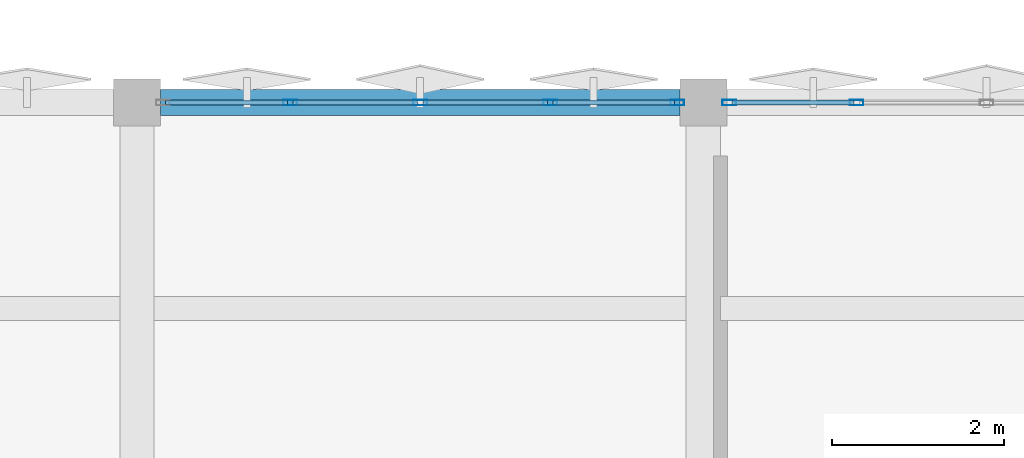
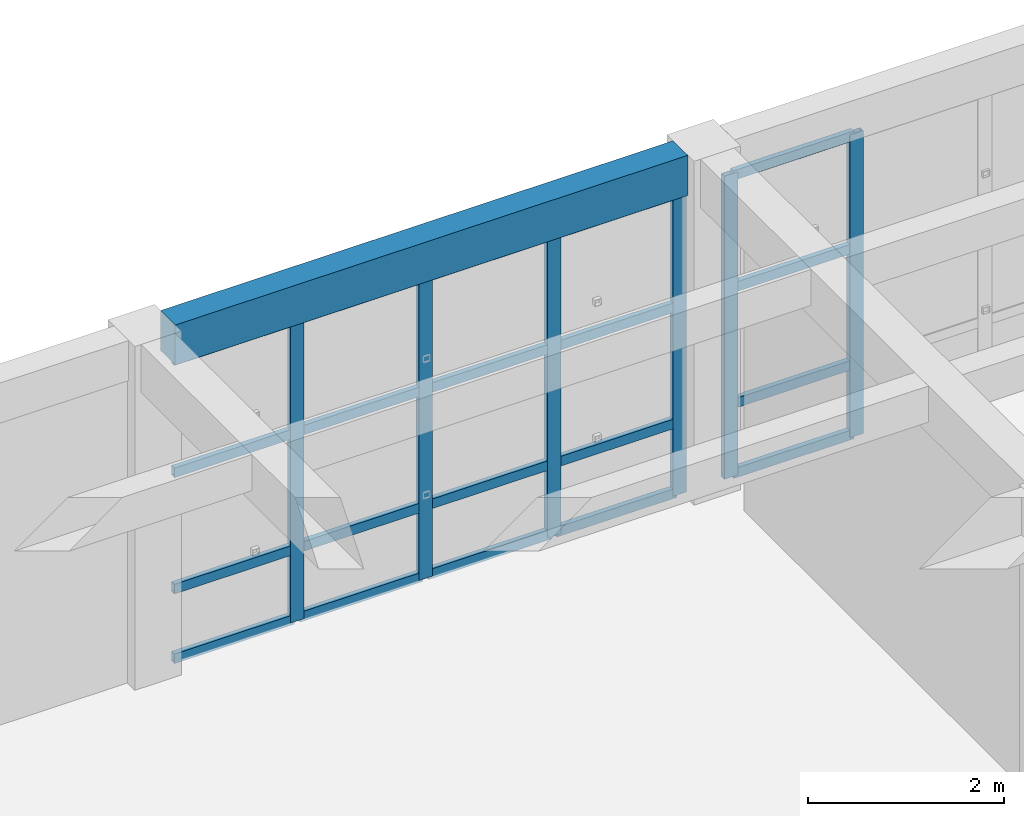
# One storey, part 16 of 39: 26 members, 1 beam, 2 elements without a shape of their own.
"""IFC4 building model written with IfcOpenShell, lengths in metres."""

import ifcopenshell
import ifcopenshell.guid

model = None  # the IFC model being written
_history = None  # IfcOwnerHistory: only IFC2X3 demands one
_inside = {}  # id of a spatial element -> (the spatial element, [elements in it])
_under = {}  # id of a project, library or spatial element -> (it, [spatial elements below it])
_declared = {}  # id of a project -> (the project, [libraries it declares])
_typed = {}  # id of a type object -> (the type object, [elements of that type])
_made_of = {}  # id of a material, layer set ... -> (it, [elements and type objects made of it])


def new_model(schema):
    """Start an empty IFC model of exactly this schema.

    Asked for "IFC4X3", IfcOpenShell would pick the latest addendum, in which some entities
    have other attributes; the version numbers below select the first issue.
    IFC2X3 requires an IfcOwnerHistory on every rooted entity: one is made here for all.
    """
    global model, _history
    if schema == "IFC4X3":
        model = ifcopenshell.file(schema_version=(4, 3, 0, 0))
    else:
        model = ifcopenshell.file(schema=schema)
    _inside.clear()
    _under.clear()
    _declared.clear()
    _typed.clear()
    _made_of.clear()
    _history = None
    if model.schema == "IFC2X3":
        org = make("IfcOrganization", Name="unknown")
        user = make(
            "IfcPersonAndOrganization",
            ThePerson=make("IfcPerson", FamilyName="unknown"),
            TheOrganization=org,
        )
        app = make(
            "IfcApplication",
            ApplicationDeveloper=org,
            Version="unknown",
            ApplicationFullName="unknown",
            ApplicationIdentifier="unknown",
        )
        _history = make(
            "IfcOwnerHistory",
            OwningUser=user,
            OwningApplication=app,
            ChangeAction="ADDED",
            CreationDate=0,
        )
    return model


def make(cls, **values):
    """One entity of the class cls with the attributes given. An attribute that is None is left unset."""
    return model.create_entity(
        cls, **{name: value for name, value in values.items() if value is not None}
    )


def rooted(cls, **values):
    """An entity with a GlobalId (a new one), such as an element, a storey or a relation."""
    return make(cls, GlobalId=ifcopenshell.guid.new(), OwnerHistory=_history, **values)


def si_unit(unit_type, name, prefix=None):
    """IfcSIUnit, for example si_unit("LENGTHUNIT", "METRE", prefix="MILLI")."""
    return make("IfcSIUnit", UnitType=unit_type, Prefix=prefix, Name=name)


def assignment(units):
    """IfcUnitAssignment: the units of a project."""
    return None if units is None else make("IfcUnitAssignment", Units=units)


def point(xyz):
    """IfcCartesianPoint."""
    return None if xyz is None else make("IfcCartesianPoint", Coordinates=xyz)


def direction(xyz):
    """IfcDirection."""
    return None if xyz is None else make("IfcDirection", DirectionRatios=xyz)


def frame(location, z_axis=None, x_axis=None):
    """IfcAxis2Placement3D, a coordinate frame: its origin and axes. An axis left out is left unset."""
    return make(
        "IfcAxis2Placement3D",
        Location=point(location),
        Axis=direction(z_axis),
        RefDirection=direction(x_axis),
    )


def frame_2d(location, x_axis=None):
    """IfcAxis2Placement2D, a coordinate frame in the plane: its origin and x axis."""
    return make(
        "IfcAxis2Placement2D", Location=point(location), RefDirection=direction(x_axis)
    )


def origin():
    """The frame at (0, 0, 0) with its axes left unset."""
    return frame((0.0, 0.0, 0.0))


def origin_2d():
    """The frame at (0, 0) in the plane with its x axis left unset."""
    return frame_2d((0.0, 0.0))


def place(relative_to, where):
    """IfcLocalPlacement: puts the frame where relative to a parent placement (None: the world)."""
    return make(
        "IfcLocalPlacement", PlacementRelTo=relative_to, RelativePlacement=where
    )


def context(
    kind, dimensions, precision=None, world=None, true_north=None, identifier=None
):
    """IfcGeometricRepresentationContext, for example the 3D "Model" context."""
    return make(
        "IfcGeometricRepresentationContext",
        ContextIdentifier=identifier,
        ContextType=kind,
        CoordinateSpaceDimension=dimensions,
        Precision=precision,
        WorldCoordinateSystem=world,
        TrueNorth=true_north,
    )


def subcontext(parent, identifier, kind, view, scale=None):
    """IfcGeometricRepresentationSubContext, for example "Body" below "Model"."""
    return make(
        "IfcGeometricRepresentationSubContext",
        ContextIdentifier=identifier,
        ContextType=kind,
        ParentContext=parent,
        TargetScale=scale,
        TargetView=view,
    )


def project(units=None, contexts=None):
    """IfcProject with its units and contexts."""
    return rooted(
        "IfcProject",
        Name="project",
        RepresentationContexts=contexts,
        UnitsInContext=assignment(units),
    )


def spatial(cls, under=None, at=None, **own):
    """A site, building, storey or space (cls), placed at a placement, below another one or the project."""
    s = rooted(cls, ObjectPlacement=at, **own)
    if under is not None:
        _under.setdefault(under.id(), (under, []))[1].append(s)
    return s


def profile(cls, at=None, kind="AREA", **sizes):
    """A parametric profile (cls). Its sizes go by their IFC names, for example OverallWidth=200.0."""
    return make(cls, ProfileType=kind, Position=at, **sizes)


def rectangle(**sizes):
    """IfcRectangleProfileDef."""
    return profile("IfcRectangleProfileDef", **sizes)


def hollow_rectangle(**sizes):
    """IfcRectangleHollowProfileDef."""
    return profile("IfcRectangleHollowProfileDef", **sizes)


def extrude(swept, where, along, depth):
    """IfcExtrudedAreaSolid: the profile swept, set in the frame where, extruded along a direction by depth."""
    return make(
        "IfcExtrudedAreaSolid",
        SweptArea=swept,
        Position=where,
        ExtrudedDirection=direction(along),
        Depth=depth,
    )


def shape(context_of_items, identifier, shape_type, items):
    """IfcShapeRepresentation: the items that make up one representation, for example the "Body"."""
    return make(
        "IfcShapeRepresentation",
        ContextOfItems=context_of_items,
        RepresentationIdentifier=identifier,
        RepresentationType=shape_type,
        Items=items,
    )


def material(Name=None, Category=None):
    """IfcMaterial."""
    return make("IfcMaterial", Name=Name, Category=Category)


def layer(
    of_material, thickness, ventilated=None, Name=None, Category=None, Priority=None
):
    """IfcMaterialLayer: one layer of a wall or slab, of a material (None: an air gap)."""
    return make(
        "IfcMaterialLayer",
        Material=of_material,
        LayerThickness=thickness,
        IsVentilated=ventilated,
        Name=Name,
        Category=Category,
        Priority=Priority,
    )


def layer_set(layers, Name=None):
    """IfcMaterialLayerSet."""
    return make("IfcMaterialLayerSet", MaterialLayers=layers, LayerSetName=Name)


def material_profile(
    of_material, cross_section, Name=None, Category=None, Priority=None
):
    """IfcMaterialProfile: a cross section and its material."""
    return make(
        "IfcMaterialProfile",
        Name=Name,
        Material=of_material,
        Profile=cross_section,
        Priority=Priority,
        Category=Category,
    )


def profile_set(profiles, Name=None, composite=None):
    """IfcMaterialProfileSet."""
    return make(
        "IfcMaterialProfileSet",
        Name=Name,
        MaterialProfiles=profiles,
        CompositeProfile=composite,
    )


def made_of(thing, what):
    """Note that an element or type object is made of a material, layer set ...; save() writes the relation."""
    if what is not None:
        _made_of.setdefault(what.id(), (what, []))[1].append(thing)
    return thing


def type_object(cls, material=None, **own):
    """A type object (cls), such as IfcWallType, which elements share."""
    return made_of(rooted(cls, **own), material)


def element(
    cls,
    number,
    at=None,
    inside=None,
    cuts=None,
    type_object=None,
    material=None,
    context=None,
    identifier="Body",
    shape_type=None,
    held_by="IfcProductDefinitionShape",
    body=None,
    shapes=None,
    **own,
):
    """One element of the class cls, such as IfcWall. Its Tag is "e" and its number.

    at: its placement. inside: the storey or other place that contains it. cuts: it is an
    opening in that element (IfcRelVoidsElement). A single representation is given by context,
    identifier, shape_type and body (its items); several are given by shapes. held_by: the class
    of the entity that holds the representations. save() writes the other relations.
    """
    e = rooted(cls, Tag="e%d" % number, ObjectPlacement=at, **own)
    if body is not None:
        shapes = [shape(context, identifier, shape_type, body)]
    if shapes is not None:
        e.Representation = make(held_by, Representations=shapes)
    if inside is not None:
        _inside.setdefault(inside.id(), (inside, []))[1].append(e)
    if cuts is not None:
        rooted(
            "IfcRelVoidsElement", RelatingBuildingElement=cuts, RelatedOpeningElement=e
        )
    if type_object is not None:
        _typed.setdefault(type_object.id(), (type_object, []))[1].append(e)
    return made_of(e, material)


def aggregate(whole, parts):
    """IfcRelAggregates: a whole, such as a stair, and the parts it consists of."""
    return rooted("IfcRelAggregates", RelatingObject=whole, RelatedObjects=parts)


def save(model, path):
    """Write the relations noted so far, then the file.

    IfcRelAggregates (storeys below a building ...), IfcRelContainedInSpatialStructure (elements
    in a storey), IfcRelDefinesByType, IfcRelAssociatesMaterial and IfcRelDeclares: one each for
    every whole, place, type object, material and project.
    """
    for whole, parts in _under.values():
        aggregate(whole, parts)
    for where, things in _inside.values():
        rooted(
            "IfcRelContainedInSpatialStructure",
            RelatedElements=things,
            RelatingStructure=where,
        )
    for kind, things in _typed.values():
        rooted("IfcRelDefinesByType", RelatedObjects=things, RelatingType=kind)
    for what, things in _made_of.values():
        rooted("IfcRelAssociatesMaterial", RelatedObjects=things, RelatingMaterial=what)
    for by, libraries in _declared.values():
        rooted("IfcRelDeclares", RelatingContext=by, RelatedDefinitions=libraries)
    model.write(path)


model = new_model("IFC4")

# Units and contexts
model_context = context("Model", 3, precision=1e-05, world=origin(), true_north=direction((0.0, 1.0)))
body_context = subcontext(model_context, "Body", "Model", "MODEL_VIEW")
ifc_project = project(units=[si_unit("LENGTHUNIT", "METRE"), si_unit("AREAUNIT", "SQUARE_METRE"), si_unit("VOLUMEUNIT", "CUBIC_METRE"), si_unit("PLANEANGLEUNIT", "RADIAN"), si_unit("MASSUNIT", "GRAM", prefix="KILO")], contexts=[model_context])

# Site, building, storey
site_placement = place(None, origin())
site = spatial("IfcSite", under=ifc_project, at=site_placement, CompositionType="ELEMENT")
building_placement = place(site_placement, origin())
building = spatial("IfcBuilding", under=site, at=building_placement, Name="Kharisveld Research Institute", CompositionType="ELEMENT")
storey_placement = place(building_placement, frame((0.0, 0.0, 23.10009765625)))
storey = spatial("IfcBuildingStorey", under=building, at=storey_placement, Name="L05", CompositionType="ELEMENT", Elevation=23.10009765625)

# Curtain wall, members
ifc_material_1 = material(Name="Thermally Broken Aluminium Curtain Wall", Category="aluminium")
ifc_layer_1 = layer(ifc_material_1, 0.159912109375)
ifc_layer_set_1 = layer_set([ifc_layer_1], Name="CW_SYS_03")
curtain_wall_type_1 = type_object("IfcCurtainWallType", Name="CW_SYS_03", PredefinedType="NOTDEFINED", material=ifc_layer_set_1)
curtain_wall_1_placement = place(storey_placement, origin())
curtain_wall_1 = element("IfcCurtainWall", 1, at=curtain_wall_1_placement, inside=storey, type_object=curtain_wall_type_1, Name="CW:V2:L05:N2", PredefinedType="NOTDEFINED")
ifc_material_2 = material(Name="Anodised Aluminium AW-6063-T6", Category="aluminium")
ifc_material_profile_1 = material_profile(ifc_material_2, hollow_rectangle(XDim=0.06494140625, YDim=0.159912109375, WallThickness=0.00390625, at=origin_2d()))
ifc_profile_set_1 = profile_set([ifc_material_profile_1], Name="Anodised Aluminium AW-6063-T6")
member_type_1 = type_object("IfcMemberType", Name="CW_MUL_160", PredefinedType="MULLION", material=ifc_profile_set_1)
member_1_placement = place(storey_placement, frame((129.5849609375, 60.800048828125, 0.0), z_axis=(0.0, 0.0, 1.0), x_axis=(0.0, 1.0, 0.0)))
member_1 = element("IfcMember", 2, at=member_1_placement, type_object=member_type_1, Name="CW-03 mullion 2", PredefinedType="MULLION", context=body_context, shape_type="SweptSolid", body=[
    extrude(hollow_rectangle(XDim=0.06494140625, YDim=0.159912109375, WallThickness=0.00390625, at=origin_2d()), origin(), (0.0, 0.0, 1.0), 3.77978515625),
])
member_2_placement = place(storey_placement, frame((131.10009765625, 60.800048828125, 0.0), z_axis=(0.0, 0.0, 1.0), x_axis=(0.0, 1.0, 0.0)))
member_2 = element("IfcMember", 3, at=member_2_placement, type_object=member_type_1, Name="CW-03 mullion 3", PredefinedType="MULLION", context=body_context, shape_type="SweptSolid", body=[
    extrude(hollow_rectangle(XDim=0.06494140625, YDim=0.159912109375, WallThickness=0.00390625, at=origin_2d()), origin(), (0.0, 0.0, 1.0), 3.77978515625),
])
member_3_placement = place(storey_placement, frame((132.614990234375, 60.800048828125, 0.0), z_axis=(0.0, 0.0, 1.0), x_axis=(0.0, 1.0, 0.0)))
member_3 = element("IfcMember", 4, at=member_3_placement, type_object=member_type_1, Name="CW-03 mullion 4", PredefinedType="MULLION", context=body_context, shape_type="SweptSolid", body=[
    extrude(hollow_rectangle(XDim=0.06494140625, YDim=0.159912109375, WallThickness=0.00390625, at=origin_2d()), origin(), (0.0, 0.0, 1.0), 3.77978515625),
])
member_4_placement = place(storey_placement, frame((134.097412109375, 60.800048828125, 0.0), z_axis=(0.0, 0.0, 1.0), x_axis=(0.0, 1.0, 0.0)))
member_4 = element("IfcMember", 5, at=member_4_placement, type_object=member_type_1, Name="CW-03 mullion 5", PredefinedType="MULLION", context=body_context, shape_type="SweptSolid", body=[
    extrude(hollow_rectangle(XDim=0.06494140625, YDim=0.159912109375, WallThickness=0.00390625, at=origin_2d()), origin(), (0.0, 0.0, 1.0), 3.77978515625),
])

ifc_material_3 = material(Name="Thermally Broken Aluminium Curtain Wall", Category="aluminium")
ifc_layer_2 = layer(ifc_material_3, 0.159912109375)
ifc_layer_set_2 = layer_set([ifc_layer_2], Name="CW_SYS_04")
curtain_wall_type_2 = type_object("IfcCurtainWallType", Name="CW_SYS_04", PredefinedType="NOTDEFINED", material=ifc_layer_set_2)
curtain_wall_2_placement = place(storey_placement, origin())
curtain_wall_2 = element("IfcCurtainWall", 6, at=curtain_wall_2_placement, inside=storey, type_object=curtain_wall_type_2, Name="CW:V2:L05:N3", PredefinedType="NOTDEFINED")
member_5_placement = place(storey_placement, frame((134.702392578125, 60.800048828125, 0.0), z_axis=(0.0, 0.0, 1.0), x_axis=(0.0, 1.0, 0.0)))
member_5 = element("IfcMember", 7, at=member_5_placement, type_object=member_type_1, Name="CW-04 mullion 1", PredefinedType="MULLION", context=body_context, shape_type="SweptSolid", body=[
    extrude(hollow_rectangle(XDim=0.06494140625, YDim=0.159912109375, WallThickness=0.00390625, at=origin_2d()), origin(), (0.0, 0.0, 1.0), 3.77978515625),
])
member_6_placement = place(storey_placement, frame((136.18505859375, 60.800048828125, 0.0), z_axis=(0.0, 0.0, 1.0), x_axis=(0.0, 1.0, 0.0)))
member_6 = element("IfcMember", 8, at=member_6_placement, type_object=member_type_1, Name="CW-04 mullion 2", PredefinedType="MULLION", context=body_context, shape_type="SweptSolid", body=[
    extrude(hollow_rectangle(XDim=0.06494140625, YDim=0.159912109375, WallThickness=0.00390625, at=origin_2d()), origin(), (0.0, 0.0, 1.0), 3.77978515625),
])

# Member
ifc_material_4 = material(Name="Anodised Aluminium AW-6063-T6", Category="aluminium")
ifc_material_profile_2 = material_profile(ifc_material_4, hollow_rectangle(XDim=0.06005859375, YDim=0.1201171875, WallThickness=0.00390625, at=origin_2d()))
ifc_profile_set_2 = profile_set([ifc_material_profile_2], Name="Anodised Aluminium AW-6063-T6")
member_type_2 = type_object("IfcMemberType", Name="CW_TRN_120", PredefinedType="USERDEFINED", material=ifc_profile_set_2)
member_7_placement = place(storey_placement, frame((128.135009765625, 60.800048828125, 0.02978515625), z_axis=(1.0, 0.0, 0.0), x_axis=(0.0, 1.0, 0.0)))
member_7 = element("IfcMember", 9, at=member_7_placement, type_object=member_type_2, Name="CW-03 transom 1.1", ObjectType="TRANSOM", PredefinedType="USERDEFINED", context=body_context, shape_type="SweptSolid", body=[
    extrude(hollow_rectangle(XDim=0.06005859375, YDim=0.1201171875, WallThickness=0.00390625, at=origin_2d()), origin(), (0.0, 0.0, 1.0), 1.41748046875),
])

member_8_placement = place(storey_placement, frame((128.135009765625, 60.800048828125, 0.89990234375), z_axis=(1.0, 0.0, 0.0), x_axis=(0.0, 1.0, 0.0)))
member_8 = element("IfcMember", 10, at=member_8_placement, type_object=member_type_2, Name="CW-03 transom 1.2", ObjectType="TRANSOM", PredefinedType="USERDEFINED", context=body_context, shape_type="SweptSolid", body=[
    extrude(hollow_rectangle(XDim=0.06005859375, YDim=0.1201171875, WallThickness=0.00390625, at=origin_2d()), origin(), (0.0, 0.0, 1.0), 1.41748046875),
])

member_9_placement = place(storey_placement, frame((128.135009765625, 60.800048828125, 2.349853515625), z_axis=(1.0, 0.0, 0.0), x_axis=(0.0, 1.0, 0.0)))
member_9 = element("IfcMember", 11, at=member_9_placement, type_object=member_type_2, Name="CW-03 transom 1.3", ObjectType="TRANSOM", PredefinedType="USERDEFINED", context=body_context, shape_type="SweptSolid", body=[
    extrude(hollow_rectangle(XDim=0.06005859375, YDim=0.1201171875, WallThickness=0.00390625, at=origin_2d()), origin(), (0.0, 0.0, 1.0), 1.41748046875),
])

member_10_placement = place(storey_placement, frame((128.135009765625, 60.800048828125, 3.75), z_axis=(1.0, 0.0, 0.0), x_axis=(0.0, 1.0, 0.0)))
member_10 = element("IfcMember", 12, at=member_10_placement, type_object=member_type_2, Name="CW-03 transom 1.4", ObjectType="TRANSOM", PredefinedType="USERDEFINED", context=body_context, shape_type="SweptSolid", body=[
    extrude(hollow_rectangle(XDim=0.06005859375, YDim=0.1201171875, WallThickness=0.00390625, at=origin_2d()), origin(), (0.0, 0.0, 1.0), 1.41748046875),
])

member_11_placement = place(storey_placement, frame((129.617431640625, 60.800048828125, 0.02978515625), z_axis=(1.0, 0.0, 0.0), x_axis=(0.0, 1.0, 0.0)))
member_11 = element("IfcMember", 13, at=member_11_placement, type_object=member_type_2, Name="CW-03 transom 2.1", ObjectType="TRANSOM", PredefinedType="USERDEFINED", context=body_context, shape_type="SweptSolid", body=[
    extrude(hollow_rectangle(XDim=0.06005859375, YDim=0.1201171875, WallThickness=0.00390625, at=origin_2d()), origin(), (0.0, 0.0, 1.0), 1.449951171875),
])

member_12_placement = place(storey_placement, frame((129.617431640625, 60.800048828125, 0.89990234375), z_axis=(1.0, 0.0, 0.0), x_axis=(0.0, 1.0, 0.0)))
member_12 = element("IfcMember", 14, at=member_12_placement, type_object=member_type_2, Name="CW-03 transom 2.2", ObjectType="TRANSOM", PredefinedType="USERDEFINED", context=body_context, shape_type="SweptSolid", body=[
    extrude(hollow_rectangle(XDim=0.06005859375, YDim=0.1201171875, WallThickness=0.00390625, at=origin_2d()), origin(), (0.0, 0.0, 1.0), 1.449951171875),
])

member_13_placement = place(storey_placement, frame((129.617431640625, 60.800048828125, 2.349853515625), z_axis=(1.0, 0.0, 0.0), x_axis=(0.0, 1.0, 0.0)))
member_13 = element("IfcMember", 15, at=member_13_placement, type_object=member_type_2, Name="CW-03 transom 2.3", ObjectType="TRANSOM", PredefinedType="USERDEFINED", context=body_context, shape_type="SweptSolid", body=[
    extrude(hollow_rectangle(XDim=0.06005859375, YDim=0.1201171875, WallThickness=0.00390625, at=origin_2d()), origin(), (0.0, 0.0, 1.0), 1.449951171875),
])

member_14_placement = place(storey_placement, frame((129.617431640625, 60.800048828125, 3.75), z_axis=(1.0, 0.0, 0.0), x_axis=(0.0, 1.0, 0.0)))
member_14 = element("IfcMember", 16, at=member_14_placement, type_object=member_type_2, Name="CW-03 transom 2.4", ObjectType="TRANSOM", PredefinedType="USERDEFINED", context=body_context, shape_type="SweptSolid", body=[
    extrude(hollow_rectangle(XDim=0.06005859375, YDim=0.1201171875, WallThickness=0.00390625, at=origin_2d()), origin(), (0.0, 0.0, 1.0), 1.449951171875),
])

member_15_placement = place(storey_placement, frame((131.132568359375, 60.800048828125, 0.02978515625), z_axis=(1.0, 0.0, 0.0), x_axis=(0.0, 1.0, 0.0)))
member_15 = element("IfcMember", 17, at=member_15_placement, type_object=member_type_2, Name="CW-03 transom 3.1", ObjectType="TRANSOM", PredefinedType="USERDEFINED", context=body_context, shape_type="SweptSolid", body=[
    extrude(hollow_rectangle(XDim=0.06005859375, YDim=0.1201171875, WallThickness=0.00390625, at=origin_2d()), origin(), (0.0, 0.0, 1.0), 1.449951171875),
])

member_16_placement = place(storey_placement, frame((131.132568359375, 60.800048828125, 0.89990234375), z_axis=(1.0, 0.0, 0.0), x_axis=(0.0, 1.0, 0.0)))
member_16 = element("IfcMember", 18, at=member_16_placement, type_object=member_type_2, Name="CW-03 transom 3.2", ObjectType="TRANSOM", PredefinedType="USERDEFINED", context=body_context, shape_type="SweptSolid", body=[
    extrude(hollow_rectangle(XDim=0.06005859375, YDim=0.1201171875, WallThickness=0.00390625, at=origin_2d()), origin(), (0.0, 0.0, 1.0), 1.449951171875),
])

member_17_placement = place(storey_placement, frame((131.132568359375, 60.800048828125, 2.349853515625), z_axis=(1.0, 0.0, 0.0), x_axis=(0.0, 1.0, 0.0)))
member_17 = element("IfcMember", 19, at=member_17_placement, type_object=member_type_2, Name="CW-03 transom 3.3", ObjectType="TRANSOM", PredefinedType="USERDEFINED", context=body_context, shape_type="SweptSolid", body=[
    extrude(hollow_rectangle(XDim=0.06005859375, YDim=0.1201171875, WallThickness=0.00390625, at=origin_2d()), origin(), (0.0, 0.0, 1.0), 1.449951171875),
])

member_18_placement = place(storey_placement, frame((131.132568359375, 60.800048828125, 3.75), z_axis=(1.0, 0.0, 0.0), x_axis=(0.0, 1.0, 0.0)))
member_18 = element("IfcMember", 20, at=member_18_placement, type_object=member_type_2, Name="CW-03 transom 3.4", ObjectType="TRANSOM", PredefinedType="USERDEFINED", context=body_context, shape_type="SweptSolid", body=[
    extrude(hollow_rectangle(XDim=0.06005859375, YDim=0.1201171875, WallThickness=0.00390625, at=origin_2d()), origin(), (0.0, 0.0, 1.0), 1.449951171875),
])

member_19_placement = place(storey_placement, frame((132.6474609375, 60.800048828125, 0.02978515625), z_axis=(1.0, 0.0, 0.0), x_axis=(0.0, 1.0, 0.0)))
member_19 = element("IfcMember", 21, at=member_19_placement, type_object=member_type_2, Name="CW-03 transom 4.1", ObjectType="TRANSOM", PredefinedType="USERDEFINED", context=body_context, shape_type="SweptSolid", body=[
    extrude(hollow_rectangle(XDim=0.06005859375, YDim=0.1201171875, WallThickness=0.00390625, at=origin_2d()), origin(), (0.0, 0.0, 1.0), 1.41748046875),
])

member_20_placement = place(storey_placement, frame((132.6474609375, 60.800048828125, 0.89990234375), z_axis=(1.0, 0.0, 0.0), x_axis=(0.0, 1.0, 0.0)))
member_20 = element("IfcMember", 22, at=member_20_placement, type_object=member_type_2, Name="CW-03 transom 4.2", ObjectType="TRANSOM", PredefinedType="USERDEFINED", context=body_context, shape_type="SweptSolid", body=[
    extrude(hollow_rectangle(XDim=0.06005859375, YDim=0.1201171875, WallThickness=0.00390625, at=origin_2d()), origin(), (0.0, 0.0, 1.0), 1.41748046875),
])

member_21_placement = place(storey_placement, frame((132.6474609375, 60.800048828125, 2.349853515625), z_axis=(1.0, 0.0, 0.0), x_axis=(0.0, 1.0, 0.0)))
member_21 = element("IfcMember", 23, at=member_21_placement, type_object=member_type_2, Name="CW-03 transom 4.3", ObjectType="TRANSOM", PredefinedType="USERDEFINED", context=body_context, shape_type="SweptSolid", body=[
    extrude(hollow_rectangle(XDim=0.06005859375, YDim=0.1201171875, WallThickness=0.00390625, at=origin_2d()), origin(), (0.0, 0.0, 1.0), 1.41748046875),
])

member_22_placement = place(storey_placement, frame((132.6474609375, 60.800048828125, 3.75), z_axis=(1.0, 0.0, 0.0), x_axis=(0.0, 1.0, 0.0)))
member_22 = element("IfcMember", 24, at=member_22_placement, type_object=member_type_2, Name="CW-03 transom 4.4", ObjectType="TRANSOM", PredefinedType="USERDEFINED", context=body_context, shape_type="SweptSolid", body=[
    extrude(hollow_rectangle(XDim=0.06005859375, YDim=0.1201171875, WallThickness=0.00390625, at=origin_2d()), origin(), (0.0, 0.0, 1.0), 1.41748046875),
])

aggregate(curtain_wall_1, [member_1, member_2, member_3, member_4, member_7, member_8, member_9, member_10, member_11, member_12, member_13, member_14, member_15, member_16, member_17, member_18, member_19, member_20, member_21, member_22])

member_23_placement = place(storey_placement, frame((134.735107421875, 60.800048828125, 0.02978515625), z_axis=(1.0, 0.0, 0.0), x_axis=(0.0, 1.0, 0.0)))
member_23 = element("IfcMember", 25, at=member_23_placement, type_object=member_type_2, Name="CW-04 transom 1.1", ObjectType="TRANSOM", PredefinedType="USERDEFINED", context=body_context, shape_type="SweptSolid", body=[
    extrude(hollow_rectangle(XDim=0.06005859375, YDim=0.1201171875, WallThickness=0.00390625, at=origin_2d()), origin(), (0.0, 0.0, 1.0), 1.41748046875),
])

member_24_placement = place(storey_placement, frame((134.735107421875, 60.800048828125, 0.89990234375), z_axis=(1.0, 0.0, 0.0), x_axis=(0.0, 1.0, 0.0)))
member_24 = element("IfcMember", 26, at=member_24_placement, type_object=member_type_2, Name="CW-04 transom 1.2", ObjectType="TRANSOM", PredefinedType="USERDEFINED", context=body_context, shape_type="SweptSolid", body=[
    extrude(hollow_rectangle(XDim=0.06005859375, YDim=0.1201171875, WallThickness=0.00390625, at=origin_2d()), origin(), (0.0, 0.0, 1.0), 1.41748046875),
])

member_25_placement = place(storey_placement, frame((134.735107421875, 60.800048828125, 2.349853515625), z_axis=(1.0, 0.0, 0.0), x_axis=(0.0, 1.0, 0.0)))
member_25 = element("IfcMember", 27, at=member_25_placement, type_object=member_type_2, Name="CW-04 transom 1.3", ObjectType="TRANSOM", PredefinedType="USERDEFINED", context=body_context, shape_type="SweptSolid", body=[
    extrude(hollow_rectangle(XDim=0.06005859375, YDim=0.1201171875, WallThickness=0.00390625, at=origin_2d()), origin(), (0.0, 0.0, 1.0), 1.41748046875),
])

member_26_placement = place(storey_placement, frame((134.735107421875, 60.800048828125, 3.75), z_axis=(1.0, 0.0, 0.0), x_axis=(0.0, 1.0, 0.0)))
member_26 = element("IfcMember", 28, at=member_26_placement, type_object=member_type_2, Name="CW-04 transom 1.4", ObjectType="TRANSOM", PredefinedType="USERDEFINED", context=body_context, shape_type="SweptSolid", body=[
    extrude(hollow_rectangle(XDim=0.06005859375, YDim=0.1201171875, WallThickness=0.00390625, at=origin_2d()), origin(), (0.0, 0.0, 1.0), 1.41748046875),
])

aggregate(curtain_wall_2, [member_5, member_6, member_23, member_24, member_25, member_26])

# Beam
ifc_material_5 = material(Name="Concrete C40/50", Category="concrete")
ifc_material_profile_3 = material_profile(ifc_material_5, rectangle(XDim=0.300048828125, YDim=0.5, at=origin_2d()))
ifc_profile_set_3 = profile_set([ifc_material_profile_3], Name="Concrete C40/50")
beam_type = type_object("IfcBeamType", Name="SP_RC_300x500", PredefinedType="SPANDREL", material=ifc_profile_set_3)
beam_placement = place(storey_placement, frame((128.074951171875, 60.800048828125, 4.039794921875), z_axis=(1.0, 0.0, 0.0), x_axis=(0.0, 1.0, 0.0)))
element("IfcBeam", 29, at=beam_placement, inside=storey, type_object=beam_type, Name="BM:V2:L05:U2_3", PredefinedType="SPANDREL", context=body_context, shape_type="SweptSolid", body=[
    extrude(rectangle(XDim=0.300048828125, YDim=0.5, at=origin_2d()), origin(), (0.0, 0.0, 1.0), 6.050048828125),
])

save(model, "model.ifc")
